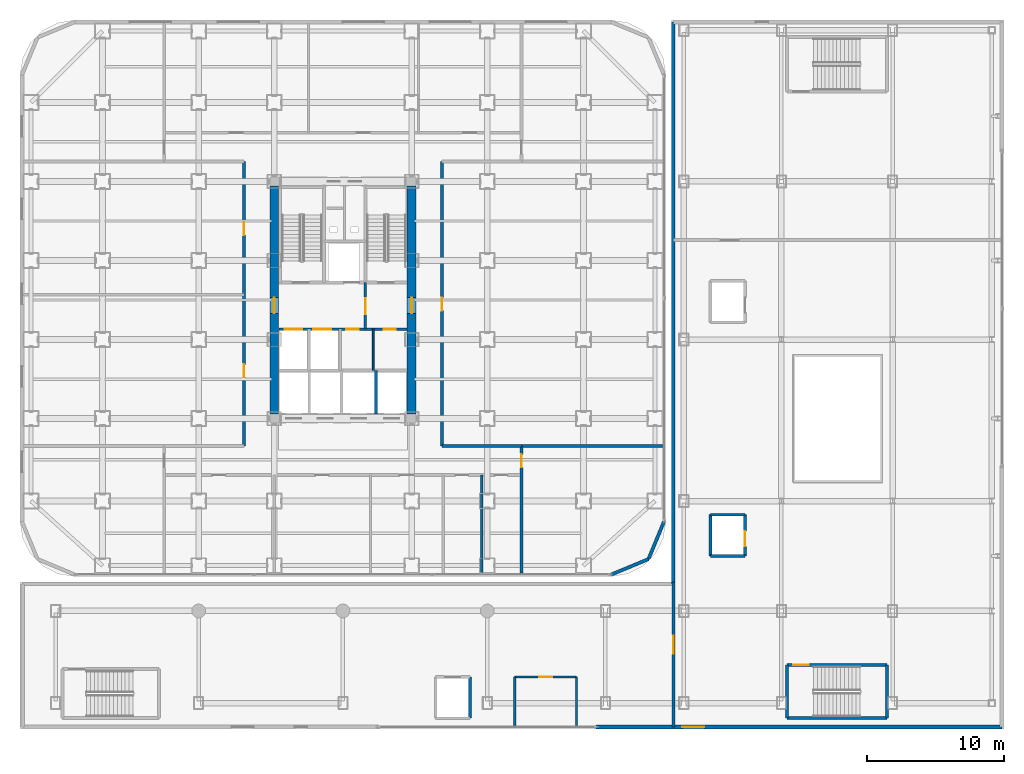
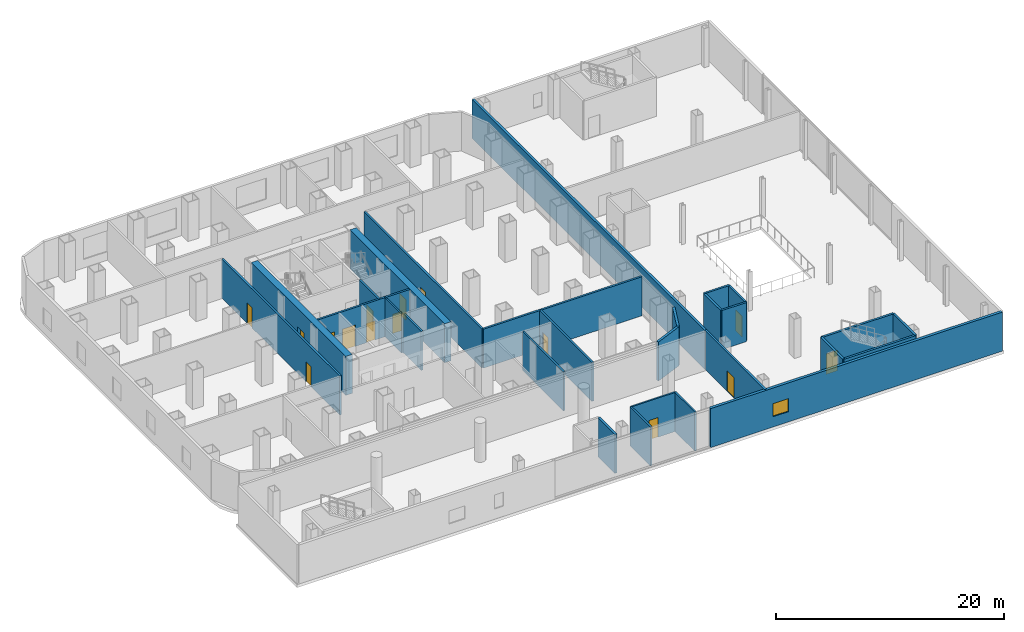
# One storey, part 20 of 27: 29 walls, 15 doors, 1 window, 16 openings.
"""IFC4 building model written with IfcOpenShell, lengths in metres."""

from ifc_helpers import new_model, si_unit, direction, frame, frame_2d, origin, place, context, subcontext, project, spatial, rectangle, extrude, material, layer, layer_set, type_object, element, fill, save


model = new_model("IFC4")

# Units and contexts
model_context = context("Model", 3, precision=1e-05, world=origin(), true_north=direction((0.0, 1.0)))
body_context = subcontext(model_context, "Body", "Model", "MODEL_VIEW")
ifc_project = project(units=[si_unit("LENGTHUNIT", "METRE"), si_unit("AREAUNIT", "SQUARE_METRE"), si_unit("VOLUMEUNIT", "CUBIC_METRE"), si_unit("PLANEANGLEUNIT", "RADIAN"), si_unit("MASSUNIT", "GRAM", prefix="KILO")], contexts=[model_context])

# Site, building, storey
site_placement = place(None, origin())
site = spatial("IfcSite", under=ifc_project, at=site_placement, CompositionType="ELEMENT")
building_placement = place(site_placement, origin())
building = spatial("IfcBuilding", under=site, at=building_placement, Name="Kolveth Station Tower", CompositionType="ELEMENT")
storey_placement = place(building_placement, frame((0.0, 0.0, 13.5)))
storey = spatial("IfcBuildingStorey", under=building, at=storey_placement, Name="L03", CompositionType="ELEMENT", Elevation=13.5)

# Wall, opening, door
ifc_material_1 = material(Name="Concrete C60/75", Category="concrete")
ifc_layer_1 = layer(ifc_material_1, 0.64990234375)
ifc_layer_set_1 = layer_set([ifc_layer_1], Name="Concrete C60/75")
wall_type_1 = type_object("IfcWallType", Name="Wall_CW-650", PredefinedType="SHEAR", material=ifc_layer_set_1)
wall_1_placement = place(storey_placement, frame((18.5, 11.824951171875, 0.0), z_axis=(0.0, 0.0, 1.0), x_axis=(0.0, 1.0, 0.0)))
wall_1 = element("IfcWall", 1, at=wall_1_placement, inside=storey, type_object=wall_type_1, Name="L03 Core RC Shear Wall W", PredefinedType="SHEAR", context=body_context, shape_type="SweptSolid", body=[
    extrude(rectangle(XDim=16.60009765625, YDim=0.64990234375, at=frame_2d((8.300048828125, 0.0))), origin(), (0.0, 0.0, 1.0), 4.179931640625),
])
opening_1_placement = place(wall_1_placement, frame((7.324951171875, 0.0, 0.0)))
opening_1 = element("IfcOpeningElement", 2, at=opening_1_placement, cuts=wall_1, Name="Opening FD1", PredefinedType="OPENING", context=body_context, shape_type="SweptSolid", body=[
    extrude(rectangle(XDim=1.14990234375, YDim=2.199951171875, at=frame_2d((0.574951171875, 1.10009765625))), frame((0.0, 0.3349609375, 0.0), z_axis=(0.0, -1.0, 0.0), x_axis=(1.0, 0.0, 0.0)), (0.0, 0.0, 1.0), 0.669921875),
])
ifc_material_2 = material(Name="Fire-rated Steel S355 leaf and frame", Category="steel")
door_type_1 = type_object("IfcDoorType", Name="Door_FD1", OperationType="NOTDEFINED", PredefinedType="DOOR", material=ifc_material_2)
door_1_placement = place(opening_1_placement, frame((1.14990234375, 0.0, 0.0), z_axis=(0.0, 0.0, 1.0), x_axis=(-1.0, 0.0, 0.0)))
door_1 = element("IfcDoor", 3, at=door_1_placement, inside=storey, type_object=door_type_1, Name="L03 West Corridor to Firefighting Lobby Door", OperationType="SINGLE_SWING_RIGHT", OverallHeight=2.199951171875, OverallWidth=1.14990234375, PredefinedType="DOOR", context=body_context, shape_type="SweptSolid", body=[
    extrude(rectangle(XDim=1.14990234375, YDim=2.199951171875, at=frame_2d((0.574951171875, 1.10009765625))), frame((0.0, 0.02490234375, 0.0), z_axis=(0.0, -1.0, 0.0), x_axis=(1.0, 0.0, 0.0)), (0.0, 0.0, 1.0), 0.050048828125),
])
fill(opening_1, door_1)

wall_2_placement = place(storey_placement, frame((28.5, 11.824951171875, 0.0), z_axis=(0.0, 0.0, 1.0), x_axis=(0.0, 1.0, 0.0)))
wall_2 = element("IfcWall", 4, at=wall_2_placement, inside=storey, type_object=wall_type_1, Name="L03 Core RC Shear Wall E", PredefinedType="SHEAR", context=body_context, shape_type="SweptSolid", body=[
    extrude(rectangle(XDim=16.60009765625, YDim=0.64990234375, at=frame_2d((8.300048828125, 0.0))), origin(), (0.0, 0.0, 1.0), 4.179931640625),
])
opening_2_placement = place(wall_2_placement, frame((7.324951171875, 0.0, 0.0)))
opening_2 = element("IfcOpeningElement", 5, at=opening_2_placement, cuts=wall_2, Name="Opening FD1", PredefinedType="OPENING", context=body_context, shape_type="SweptSolid", body=[
    extrude(rectangle(XDim=1.14990234375, YDim=2.199951171875, at=frame_2d((0.574951171875, 1.10009765625))), frame((0.0, 0.3349609375, 0.0), z_axis=(0.0, -1.0, 0.0), x_axis=(1.0, 0.0, 0.0)), (0.0, 0.0, 1.0), 0.669921875),
])
door_2_placement = place(opening_2_placement, origin())
door_2 = element("IfcDoor", 6, at=door_2_placement, inside=storey, type_object=door_type_1, Name="L03 East Corridor to Stair Lobby Door", OperationType="SINGLE_SWING_LEFT", OverallHeight=2.199951171875, OverallWidth=1.14990234375, PredefinedType="DOOR", context=body_context, shape_type="SweptSolid", body=[
    extrude(rectangle(XDim=1.14990234375, YDim=2.199951171875, at=frame_2d((0.574951171875, 1.10009765625))), frame((0.0, 0.02490234375, 0.0), z_axis=(0.0, -1.0, 0.0), x_axis=(1.0, 0.0, 0.0)), (0.0, 0.0, 1.0), 0.050048828125),
])
fill(opening_2, door_2)

# Walls
ifc_material_3 = material(Name="Precast concrete C40/50", Category="concrete")
ifc_layer_2 = layer(ifc_material_3, 0.239990234375)
ifc_layer_set_2 = layer_set([ifc_layer_2], Name="Precast concrete C40/50")
wall_type_2 = type_object("IfcWallType", Name="Wall_EW-240", PredefinedType="SOLIDWALL", material=ifc_layer_set_2)
for number, where, z_axis, x_axis, name in (
    (7, (43.0, 0.139892578125, 0.0), (0.0, 0.0, 1.0), (0.923876833688, 0.382689947836, 0.0), "L03 Podium Rounded Corner Wall 1"),
    (8, (45.7294921875, 1.2705078125, 0.0), (0.0, 0.0, 1.0), (0.382689947836, 0.923876833688, 0.0), "L03 Podium Rounded Corner Wall 2"),
):
    element("IfcWall", number, at=place(storey_placement, frame(where, z_axis=z_axis, x_axis=x_axis)), inside=storey, type_object=wall_type_2, Name=name, PredefinedType="SOLIDWALL", context=body_context, shape_type="SweptSolid", body=[
        extrude(rectangle(XDim=2.954345703125, YDim=0.239990234375, at=frame_2d((1.47705078125, 0.0))), origin(), (0.0, 0.0, 1.0), 4.179931640625),
    ])
wall_3_placement = place(storey_placement, frame((47.5400390625, -0.5400390625, 0.0), z_axis=(0.0, 0.0, 1.0), x_axis=(0.0, 1.0, 0.0)))
element("IfcWall", 9, at=wall_3_placement, inside=storey, type_object=wall_type_2, Name="L03 Station Exterior Wall JW", PredefinedType="SOLIDWALL", context=body_context, shape_type="SweptSolid", body=[
    extrude(rectangle(XDim=40.89013671875, YDim=0.239990234375, at=frame_2d((20.445068359375, 0.0))), origin(), (0.0, 0.0, 1.0), 4.179931640625),
])

# Wall, opening, window
ifc_layer_3 = layer(ifc_material_3, 0.280029296875)
ifc_layer_set_3 = layer_set([ifc_layer_3], Name="Precast concrete C40/50")
wall_type_3 = type_object("IfcWallType", Name="Wall_EW-280", PredefinedType="SOLIDWALL", material=ifc_layer_set_3)
wall_4_placement = place(storey_placement, frame((41.89990234375, -10.949951171875, 0.0), z_axis=(0.0, 0.0, 1.0), x_axis=(1.0, 0.0, 0.0)))
wall_4 = element("IfcWall", 10, at=wall_4_placement, inside=storey, type_object=wall_type_3, Name="L03 Station Exterior Wall S2", PredefinedType="SOLIDWALL", context=body_context, shape_type="SweptSolid", body=[
    extrude(rectangle(XDim=29.550048828125, YDim=0.280029296875, at=frame_2d((14.77490234375, 0.0))), origin(), (0.0, 0.0, 1.0), 4.179931640625),
])
opening_3_placement = place(wall_4_placement, frame((6.300048828125, 0.0, 1.10009765625)))
opening_3 = element("IfcOpeningElement", 11, at=opening_3_placement, cuts=wall_4, Name="Opening W7", PredefinedType="OPENING", context=body_context, shape_type="SweptSolid", body=[
    extrude(rectangle(XDim=1.60009765625, YDim=1.39990234375, at=frame_2d((0.800048828125, 0.699951171875))), frame((0.0, 0.14990234375, 0.0), z_axis=(0.0, -1.0, 0.0), x_axis=(1.0, 0.0, 0.0)), (0.0, 0.0, 1.0), 0.300048828125),
])
ifc_material_4 = material(Name="Black anodized aluminium 6063-T6 and triple low-E glass", Category="aluminium")
window_type = type_object("IfcWindowType", Name="Win_W7", PartitioningType="SINGLE_PANEL", PredefinedType="WINDOW", material=ifc_material_4)
window_placement = place(opening_3_placement, origin())
window = element("IfcWindow", 12, at=window_placement, inside=storey, type_object=window_type, Name="L03 Station Hall Window 3", OverallHeight=1.39990234375, OverallWidth=1.60009765625, PartitioningType="SINGLE_PANEL", PredefinedType="WINDOW", context=body_context, shape_type="SweptSolid", body=[
    extrude(rectangle(XDim=1.60009765625, YDim=1.39990234375, at=frame_2d((0.800048828125, 0.699951171875))), frame((0.0, 0.030029296875, 0.0), z_axis=(0.0, -1.0, 0.0), x_axis=(1.0, 0.0, 0.0)), (0.0, 0.0, 1.0), 0.06005859375),
])
fill(opening_3, window)

# Walls
ifc_material_5 = material(Name="Moisture-resistant gypsum partition")
ifc_layer_4 = layer(ifc_material_5, 0.135009765625)
ifc_layer_set_4 = layer_set([ifc_layer_4], Name="Moisture-resistant gypsum partition")
wall_type_4 = type_object("IfcWallType", Name="Wall_IW-135", PredefinedType="PARTITIONING", material=ifc_layer_set_4)
wall_5_placement = place(storey_placement, frame((25.699951171875, 15.0, 0.0), z_axis=(0.0, 0.0, 1.0), x_axis=(0.0, 1.0, 0.0)))
element("IfcWall", 13, at=wall_5_placement, inside=storey, type_object=wall_type_4, Name="L03 Partition Wall WL-L03-CB-V1", PredefinedType="PARTITIONING", context=body_context, shape_type="SweptSolid", body=[
    extrude(rectangle(XDim=3.0, YDim=0.135009765625, at=frame_2d((1.5, 0.0))), origin(), (0.0, 0.0, 1.0), 4.179931640625),
])
ifc_material_6 = material(Name="Acoustic double-stud gypsum partition")
ifc_layer_5 = layer(ifc_material_6, 0.1650390625)
ifc_layer_set_5 = layer_set([ifc_layer_5], Name="Acoustic double-stud gypsum partition")
wall_type_5 = type_object("IfcWallType", Name="Wall_IW-165", PredefinedType="PARTITIONING", material=ifc_layer_set_5)
wall_6_placement = place(storey_placement, frame((33.60009765625, 0.25, 0.0), z_axis=(0.0, 0.0, 1.0), x_axis=(0.0, 1.0, 0.0)))
element("IfcWall", 14, at=wall_6_placement, inside=storey, type_object=wall_type_5, Name="L03 Partition Wall WL-L03-TPS-P4", PredefinedType="PARTITIONING", context=body_context, shape_type="SweptSolid", body=[
    extrude(rectangle(XDim=7.14990234375, YDim=0.1650390625, at=frame_2d((3.574951171875, 0.0))), origin(), (0.0, 0.0, 1.0), 4.179931640625),
])

# Wall, opening, door
wall_7_placement = place(storey_placement, frame((36.0, -7.300048828125, 0.0), z_axis=(0.0, 0.0, 1.0), x_axis=(1.0, 0.0, 0.0)))
wall_7 = element("IfcWall", 15, at=wall_7_placement, inside=storey, type_object=wall_type_5, Name="L03 Partition Wall WL-L03-SWC-N", PredefinedType="PARTITIONING", context=body_context, shape_type="SweptSolid", body=[
    extrude(rectangle(XDim=4.5, YDim=0.1650390625, at=frame_2d((2.25, 0.0))), origin(), (0.0, 0.0, 1.0), 4.179931640625),
])
opening_4_placement = place(wall_7_placement, frame((1.800048828125, 0.0, 0.0)))
opening_4 = element("IfcOpeningElement", 16, at=opening_4_placement, cuts=wall_7, Name="Opening ID2", PredefinedType="OPENING", context=body_context, shape_type="SweptSolid", body=[
    extrude(rectangle(XDim=0.919921875, YDim=2.10009765625, at=frame_2d((0.4599609375, 1.050048828125))), frame((0.0, 0.092529296875, 0.0), z_axis=(0.0, -1.0, 0.0), x_axis=(1.0, 0.0, 0.0)), (0.0, 0.0, 1.0), 0.18505859375),
])
ifc_material_7 = material(Name="Moisture-resistant hardwood leaf", Category="wood")
door_type_2 = type_object("IfcDoorType", Name="Door_ID2", OperationType="NOTDEFINED", PredefinedType="DOOR", material=ifc_material_7)
door_3_placement = place(opening_4_placement, origin())
door_3 = element("IfcDoor", 17, at=door_3_placement, inside=storey, type_object=door_type_2, Name="L03 Station Accessible WC Door", OperationType="SINGLE_SWING_LEFT", OverallHeight=2.10009765625, OverallWidth=0.919921875, PredefinedType="DOOR", context=body_context, shape_type="SweptSolid", body=[
    extrude(rectangle(XDim=0.919921875, YDim=2.10009765625, at=frame_2d((0.4599609375, 1.050048828125))), frame((0.0, 0.02490234375, 0.0), z_axis=(0.0, -1.0, 0.0), x_axis=(1.0, 0.0, 0.0)), (0.0, 0.0, 1.0), 0.050048828125),
])
fill(opening_4, door_3)

# Walls
for number, where, z_axis, x_axis, name in (
    (18, (36.0, -10.85009765625, 0.0), (0.0, 0.0, 1.0), (0.0, 1.0, 0.0), "L03 Partition Wall WL-L03-SWC-W"),
    (19, (40.5, -10.85009765625, 0.0), (0.0, 0.0, 1.0), (0.0, 1.0, 0.0), "L03 Partition Wall WL-L03-SWC-E"),
):
    element("IfcWall", number, at=place(storey_placement, frame(where, z_axis=z_axis, x_axis=x_axis)), inside=storey, type_object=wall_type_5, Name=name, PredefinedType="PARTITIONING", context=body_context, shape_type="SweptSolid", body=[
        extrude(rectangle(XDim=3.550048828125, YDim=0.1650390625, at=frame_2d((1.77490234375, 0.0))), origin(), (0.0, 0.0, 1.0), 4.179931640625),
    ])

# Wall, opening, door
ifc_material_8 = material(Name="Acoustic fire-rated gypsum blockwork", Category="masonry")
ifc_layer_6 = layer(ifc_material_8, 0.199951171875)
ifc_layer_set_6 = layer_set([ifc_layer_6], Name="Acoustic fire-rated gypsum blockwork")
wall_type_6 = type_object("IfcWallType", Name="Wall_IW-200", PredefinedType="PARTITIONING", material=ifc_layer_set_6)
wall_8_placement = place(storey_placement, frame((25.1298828125, 18.0, 0.0), z_axis=(0.0, 0.0, 1.0), x_axis=(0.0, 1.0, 0.0)))
wall_8 = element("IfcWall", 20, at=wall_8_placement, inside=storey, type_object=wall_type_6, Name="L03 Partition Wall WL-L03-FFL-E", PredefinedType="PARTITIONING", context=body_context, shape_type="SweptSolid", body=[
    extrude(rectangle(XDim=3.389892578125, YDim=0.199951171875, at=frame_2d((1.69482421875, 0.0))), origin(), (0.0, 0.0, 1.0), 4.179931640625),
])
opening_5_placement = place(wall_8_placement, frame((1.10009765625, 0.0, 0.0)))
opening_5 = element("IfcOpeningElement", 21, at=opening_5_placement, cuts=wall_8, Name="Opening FD1", PredefinedType="OPENING", context=body_context, shape_type="SweptSolid", body=[
    extrude(rectangle(XDim=1.14990234375, YDim=2.199951171875, at=frame_2d((0.574951171875, 1.10009765625))), frame((0.0, 0.10986328125, 0.0), z_axis=(0.0, -1.0, 0.0), x_axis=(1.0, 0.0, 0.0)), (0.0, 0.0, 1.0), 0.219970703125),
])
door_4_placement = place(opening_5_placement, origin())
door_4 = element("IfcDoor", 22, at=door_4_placement, inside=storey, type_object=door_type_1, Name="L03 Firefighting to Stair Lobby Door", OperationType="SINGLE_SWING_LEFT", OverallHeight=2.199951171875, OverallWidth=1.14990234375, PredefinedType="DOOR", context=body_context, shape_type="SweptSolid", body=[
    extrude(rectangle(XDim=1.14990234375, YDim=2.199951171875, at=frame_2d((0.574951171875, 1.10009765625))), frame((0.0, 0.02490234375, 0.0), z_axis=(0.0, -1.0, 0.0), x_axis=(1.0, 0.0, 0.0)), (0.0, 0.0, 1.0), 0.050048828125),
])
fill(opening_5, door_4)

# Wall, openings, doors
wall_9_placement = place(storey_placement, frame((18.8349609375, 18.0, 0.0), z_axis=(0.0, 0.0, 1.0), x_axis=(1.0, 0.0, 0.0)))
wall_9 = element("IfcWall", 23, at=wall_9_placement, inside=storey, type_object=wall_type_6, Name="L03 Partition Wall WL-L03-FFL-S", PredefinedType="PARTITIONING", context=body_context, shape_type="SweptSolid", body=[
    extrude(rectangle(XDim=9.330078125, YDim=0.199951171875, at=frame_2d((4.6650390625, 0.0))), origin(), (0.0, 0.0, 1.0), 4.179931640625),
])
opening_6_placement = place(wall_9_placement, frame((0.4150390625, 0.0, 0.0)))
opening_6 = element("IfcOpeningElement", 24, at=opening_6_placement, cuts=wall_9, Name="Opening LD2", PredefinedType="OPENING", context=body_context, shape_type="SweptSolid", body=[
    extrude(rectangle(XDim=1.300048828125, YDim=2.300048828125, at=frame_2d((0.64990234375, 1.14990234375))), frame((0.0, 0.10986328125, 0.0), z_axis=(0.0, -1.0, 0.0), x_axis=(1.0, 0.0, 0.0)), (0.0, 0.0, 1.0), 0.219970703125),
])
opening_7_placement = place(wall_9_placement, frame((2.514892578125, 0.0, 0.0)))
opening_7 = element("IfcOpeningElement", 25, at=opening_7_placement, cuts=wall_9, Name="Opening LD2", PredefinedType="OPENING", context=body_context, shape_type="SweptSolid", body=[
    extrude(rectangle(XDim=1.300048828125, YDim=2.300048828125, at=frame_2d((0.64990234375, 1.14990234375))), frame((0.0, 0.10986328125, 0.0), z_axis=(0.0, -1.0, 0.0), x_axis=(1.0, 0.0, 0.0)), (0.0, 0.0, 1.0), 0.219970703125),
])
opening_8_placement = place(wall_9_placement, frame((4.9150390625, 0.0, 0.0)))
opening_8 = element("IfcOpeningElement", 26, at=opening_8_placement, cuts=wall_9, Name="Opening RD1", PredefinedType="OPENING", context=body_context, shape_type="SweptSolid", body=[
    extrude(rectangle(XDim=0.89990234375, YDim=2.050048828125, at=frame_2d((0.449951171875, 1.02490234375))), frame((0.0, 0.10986328125, 0.0), z_axis=(0.0, -1.0, 0.0), x_axis=(1.0, 0.0, 0.0)), (0.0, 0.0, 1.0), 0.219970703125),
])
opening_9_placement = place(wall_9_placement, frame((7.614990234375, 0.0, 0.0)))
opening_9 = element("IfcOpeningElement", 27, at=opening_9_placement, cuts=wall_9, Name="Opening RD1", PredefinedType="OPENING", context=body_context, shape_type="SweptSolid", body=[
    extrude(rectangle(XDim=0.89990234375, YDim=2.050048828125, at=frame_2d((0.449951171875, 1.02490234375))), frame((0.0, 0.10986328125, 0.0), z_axis=(0.0, -1.0, 0.0), x_axis=(1.0, 0.0, 0.0)), (0.0, 0.0, 1.0), 0.219970703125),
])
ifc_material_9 = material(Name="Firefighting stainless steel sliding landing doors", Category="steel")
door_type_3 = type_object("IfcDoorType", Name="Door_LD2", OperationType="NOTDEFINED", PredefinedType="DOOR", material=ifc_material_9)
door_5_placement = place(opening_6_placement, origin())
door_5 = element("IfcDoor", 28, at=door_5_placement, inside=storey, type_object=door_type_3, Name="L03 Firefighting Lift FF1 Landing Door", OperationType="DOUBLE_DOOR_SLIDING", OverallHeight=2.300048828125, OverallWidth=1.300048828125, PredefinedType="DOOR", context=body_context, shape_type="SweptSolid", body=[
    extrude(rectangle(XDim=1.300048828125, YDim=2.300048828125, at=frame_2d((0.64990234375, 1.14990234375))), frame((0.0, 0.02490234375, 0.0), z_axis=(0.0, -1.0, 0.0), x_axis=(1.0, 0.0, 0.0)), (0.0, 0.0, 1.0), 0.050048828125),
])
fill(opening_6, door_5)
door_6_placement = place(opening_7_placement, origin())
door_6 = element("IfcDoor", 29, at=door_6_placement, inside=storey, type_object=door_type_3, Name="L03 Firefighting Lift FF2 Landing Door", OperationType="DOUBLE_DOOR_SLIDING", OverallHeight=2.300048828125, OverallWidth=1.300048828125, PredefinedType="DOOR", context=body_context, shape_type="SweptSolid", body=[
    extrude(rectangle(XDim=1.300048828125, YDim=2.300048828125, at=frame_2d((0.64990234375, 1.14990234375))), frame((0.0, 0.02490234375, 0.0), z_axis=(0.0, -1.0, 0.0), x_axis=(1.0, 0.0, 0.0)), (0.0, 0.0, 1.0), 0.050048828125),
])
fill(opening_7, door_6)
ifc_material_10 = material(Name="Fire-rated Steel S355 riser access leaf", Category="steel")
door_type_4 = type_object("IfcDoorType", Name="Door_RD1", OperationType="NOTDEFINED", PredefinedType="DOOR", material=ifc_material_10)
door_7_placement = place(opening_8_placement, frame((0.89990234375, 0.0, 0.0), z_axis=(0.0, 0.0, 1.0), x_axis=(-1.0, 0.0, 0.0)))
door_7 = element("IfcDoor", 30, at=door_7_placement, inside=storey, type_object=door_type_4, Name="L03 Core Accessible WC Door", OperationType="SINGLE_SWING_RIGHT", OverallHeight=2.050048828125, OverallWidth=0.89990234375, PredefinedType="DOOR", context=body_context, shape_type="SweptSolid", body=[
    extrude(rectangle(XDim=0.89990234375, YDim=2.050048828125, at=frame_2d((0.449951171875, 1.02490234375))), frame((0.0, 0.02490234375, 0.0), z_axis=(0.0, -1.0, 0.0), x_axis=(1.0, 0.0, 0.0)), (0.0, 0.0, 1.0), 0.050048828125),
])
fill(opening_8, door_7)
door_8_placement = place(opening_9_placement, frame((0.89990234375, 0.0, 0.0), z_axis=(0.0, 0.0, 1.0), x_axis=(-1.0, 0.0, 0.0)))
door_8 = element("IfcDoor", 31, at=door_8_placement, inside=storey, type_object=door_type_4, Name="L03 Core Cleaner Store Door", OperationType="SINGLE_SWING_LEFT", OverallHeight=2.050048828125, OverallWidth=0.89990234375, PredefinedType="DOOR", context=body_context, shape_type="SweptSolid", body=[
    extrude(rectangle(XDim=0.89990234375, YDim=2.050048828125, at=frame_2d((0.449951171875, 1.02490234375))), frame((0.0, 0.02490234375, 0.0), z_axis=(0.0, -1.0, 0.0), x_axis=(1.0, 0.0, 0.0)), (0.0, 0.0, 1.0), 0.050048828125),
])
fill(opening_9, door_8)

# Walls
wall_10_placement = place(storey_placement, frame((25.89990234375, 11.8349609375, 0.0), z_axis=(0.0, 0.0, 1.0), x_axis=(0.0, 1.0, 0.0)))
element("IfcWall", 32, at=wall_10_placement, inside=storey, type_object=wall_type_6, Name="L03 Partition Wall WL-L03-PMPH", PredefinedType="PARTITIONING", context=body_context, shape_type="SweptSolid", body=[
    extrude(rectangle(XDim=3.1650390625, YDim=0.199951171875, at=frame_2d((1.58251953125, 0.0))), origin(), (0.0, 0.0, 1.0), 4.179931640625),
])
wall_11_placement = place(storey_placement, frame((30.699951171875, 9.5, 0.0), z_axis=(0.0, 0.0, 1.0), x_axis=(1.0, 0.0, 0.0)))
element("IfcWall", 33, at=wall_11_placement, inside=storey, type_object=wall_type_6, Name="L03 Partition Wall WL-L03-BSET", PredefinedType="PARTITIONING", context=body_context, shape_type="SweptSolid", body=[
    extrude(rectangle(XDim=5.800048828125, YDim=0.199951171875, at=frame_2d((2.89990234375, 0.0))), origin(), (0.0, 0.0, 1.0), 4.179931640625),
])

# Wall, openings, doors
wall_12_placement = place(storey_placement, frame((16.300048828125, 9.5, 0.0), z_axis=(0.0, 0.0, 1.0), x_axis=(0.0, 1.0, 0.0)))
wall_12 = element("IfcWall", 34, at=wall_12_placement, inside=storey, type_object=wall_type_6, Name="L03 Partition Wall WL-L03-BW", PredefinedType="PARTITIONING", context=body_context, shape_type="SweptSolid", body=[
    extrude(rectangle(XDim=20.699951171875, YDim=0.199951171875, at=frame_2d((10.35009765625, 0.0))), origin(), (0.0, 0.0, 1.0), 4.179931640625),
])
opening_10_placement = place(wall_12_placement, frame((5.0, 0.0, 0.0)))
opening_10 = element("IfcOpeningElement", 35, at=opening_10_placement, cuts=wall_12, Name="Opening ID1", PredefinedType="OPENING", context=body_context, shape_type="SweptSolid", body=[
    extrude(rectangle(XDim=0.949951171875, YDim=2.14990234375, at=frame_2d((0.47509765625, 1.074951171875))), frame((0.0, 0.10986328125, 0.0), z_axis=(0.0, -1.0, 0.0), x_axis=(1.0, 0.0, 0.0)), (0.0, 0.0, 1.0), 0.219970703125),
])
opening_11_placement = place(wall_12_placement, frame((15.35009765625, 0.0, 0.0)))
opening_11 = element("IfcOpeningElement", 36, at=opening_11_placement, cuts=wall_12, Name="Opening ID1", PredefinedType="OPENING", context=body_context, shape_type="SweptSolid", body=[
    extrude(rectangle(XDim=0.949951171875, YDim=2.14990234375, at=frame_2d((0.47509765625, 1.074951171875))), frame((0.0, 0.10986328125, 0.0), z_axis=(0.0, -1.0, 0.0), x_axis=(1.0, 0.0, 0.0)), (0.0, 0.0, 1.0), 0.219970703125),
])
ifc_material_11 = material(Name="Acoustic hardwood leaf and aluminium frame", Category="wood")
door_type_5 = type_object("IfcDoorType", Name="Door_ID1", OperationType="NOTDEFINED", PredefinedType="DOOR", material=ifc_material_11)
door_9_placement = place(opening_10_placement, frame((0.949951171875, 0.0, 0.0), z_axis=(0.0, 0.0, 1.0), x_axis=(-1.0, 0.0, 0.0)))
door_9 = element("IfcDoor", 37, at=door_9_placement, inside=storey, type_object=door_type_5, Name="L03 Podium Clinic Office West 1 Door", OperationType="SINGLE_SWING_RIGHT", OverallHeight=2.14990234375, OverallWidth=0.949951171875, PredefinedType="DOOR", context=body_context, shape_type="SweptSolid", body=[
    extrude(rectangle(XDim=0.949951171875, YDim=2.14990234375, at=frame_2d((0.47509765625, 1.074951171875))), frame((0.0, 0.02490234375, 0.0), z_axis=(0.0, -1.0, 0.0), x_axis=(1.0, 0.0, 0.0)), (0.0, 0.0, 1.0), 0.050048828125),
])
fill(opening_10, door_9)
door_10_placement = place(opening_11_placement, frame((0.949951171875, 0.0, 0.0), z_axis=(0.0, 0.0, 1.0), x_axis=(-1.0, 0.0, 0.0)))
door_10 = element("IfcDoor", 38, at=door_10_placement, inside=storey, type_object=door_type_5, Name="L03 Meeting Room West Door", OperationType="SINGLE_SWING_LEFT", OverallHeight=2.14990234375, OverallWidth=0.949951171875, PredefinedType="DOOR", context=body_context, shape_type="SweptSolid", body=[
    extrude(rectangle(XDim=0.949951171875, YDim=2.14990234375, at=frame_2d((0.47509765625, 1.074951171875))), frame((0.0, 0.02490234375, 0.0), z_axis=(0.0, -1.0, 0.0), x_axis=(1.0, 0.0, 0.0)), (0.0, 0.0, 1.0), 0.050048828125),
])
fill(opening_11, door_10)

# Wall, opening, door
wall_13_placement = place(storey_placement, frame((30.699951171875, 9.5, 0.0), z_axis=(0.0, 0.0, 1.0), x_axis=(0.0, 1.0, 0.0)))
wall_13 = element("IfcWall", 39, at=wall_13_placement, inside=storey, type_object=wall_type_6, Name="L03 Partition Wall WL-L03-BE", PredefinedType="PARTITIONING", context=body_context, shape_type="SweptSolid", body=[
    extrude(rectangle(XDim=20.699951171875, YDim=0.199951171875, at=frame_2d((10.35009765625, 0.0))), origin(), (0.0, 0.0, 1.0), 4.179931640625),
])
opening_12_placement = place(wall_13_placement, frame((9.85009765625, 0.0, 0.0)))
opening_12 = element("IfcOpeningElement", 40, at=opening_12_placement, cuts=wall_13, Name="Opening ID1", PredefinedType="OPENING", context=body_context, shape_type="SweptSolid", body=[
    extrude(rectangle(XDim=0.949951171875, YDim=2.14990234375, at=frame_2d((0.47509765625, 1.074951171875))), frame((0.0, 0.10986328125, 0.0), z_axis=(0.0, -1.0, 0.0), x_axis=(1.0, 0.0, 0.0)), (0.0, 0.0, 1.0), 0.219970703125),
])
door_11_placement = place(opening_12_placement, origin())
door_11 = element("IfcDoor", 41, at=door_11_placement, inside=storey, type_object=door_type_5, Name="L03 Podium Clinic Office East Door", OperationType="SINGLE_SWING_RIGHT", OverallHeight=2.14990234375, OverallWidth=0.949951171875, PredefinedType="DOOR", context=body_context, shape_type="SweptSolid", body=[
    extrude(rectangle(XDim=0.949951171875, YDim=2.14990234375, at=frame_2d((0.47509765625, 1.074951171875))), frame((0.0, 0.02490234375, 0.0), z_axis=(0.0, -1.0, 0.0), x_axis=(1.0, 0.0, 0.0)), (0.0, 0.0, 1.0), 0.050048828125),
])
fill(opening_12, door_11)

wall_14_placement = place(storey_placement, frame((36.5, 0.25, 0.0), z_axis=(0.0, 0.0, 1.0), x_axis=(0.0, 1.0, 0.0)))
wall_14 = element("IfcWall", 42, at=wall_14_placement, inside=storey, type_object=wall_type_6, Name="L03 Partition Wall WL-L03-BES", PredefinedType="PARTITIONING", context=body_context, shape_type="SweptSolid", body=[
    extrude(rectangle(XDim=9.25, YDim=0.199951171875, at=frame_2d((4.625, 0.0))), origin(), (0.0, 0.0, 1.0), 4.179931640625),
])
opening_13_placement = place(wall_14_placement, frame((7.699951171875, 0.0, 0.0)))
opening_13 = element("IfcOpeningElement", 43, at=opening_13_placement, cuts=wall_14, Name="Opening ID1", PredefinedType="OPENING", context=body_context, shape_type="SweptSolid", body=[
    extrude(rectangle(XDim=0.949951171875, YDim=2.14990234375, at=frame_2d((0.47509765625, 1.074951171875))), frame((0.0, 0.10986328125, 0.0), z_axis=(0.0, -1.0, 0.0), x_axis=(1.0, 0.0, 0.0)), (0.0, 0.0, 1.0), 0.219970703125),
])
door_12_placement = place(opening_13_placement, origin())
door_12 = element("IfcDoor", 44, at=door_12_placement, inside=storey, type_object=door_type_5, Name="L03 Podium Clinic Office CSE Door", OperationType="SINGLE_SWING_RIGHT", OverallHeight=2.14990234375, OverallWidth=0.949951171875, PredefinedType="DOOR", context=body_context, shape_type="SweptSolid", body=[
    extrude(rectangle(XDim=0.949951171875, YDim=2.14990234375, at=frame_2d((0.47509765625, 1.074951171875))), frame((0.0, 0.02490234375, 0.0), z_axis=(0.0, -1.0, 0.0), x_axis=(1.0, 0.0, 0.0)), (0.0, 0.0, 1.0), 0.050048828125),
])
fill(opening_13, door_12)

# Walls
wall_15_placement = place(storey_placement, frame((36.5, 9.5, 0.0), z_axis=(0.0, 0.0, 1.0), x_axis=(1.0, 0.0, 0.0)))
element("IfcWall", 45, at=wall_15_placement, inside=storey, type_object=wall_type_6, Name="L03 Partition Wall WL-L03-BEM1", PredefinedType="PARTITIONING", context=body_context, shape_type="SweptSolid", body=[
    extrude(rectangle(XDim=10.25, YDim=0.199951171875, at=frame_2d((5.125, 0.0))), origin(), (0.0, 0.0, 1.0), 4.179931640625),
])
for number, where, z_axis, x_axis, name in (
    (46, (50.25, 1.5, 0.0), (0.0, 0.0, 1.0), (1.0, 0.0, 0.0), "L03 Partition Wall WL-L03-SL1-S"),
    (47, (50.25, 4.5, 0.0), (0.0, 0.0, 1.0), (1.0, 0.0, 0.0), "L03 Partition Wall WL-L03-SL1-N"),
):
    element("IfcWall", number, at=place(storey_placement, frame(where, z_axis=z_axis, x_axis=x_axis)), inside=storey, type_object=wall_type_6, Name=name, PredefinedType="PARTITIONING", context=body_context, shape_type="SweptSolid", body=[
        extrude(rectangle(XDim=2.5, YDim=0.199951171875, at=frame_2d((1.25, 0.0))), origin(), (0.0, 0.0, 1.0), 4.179931640625),
    ])
wall_16_placement = place(storey_placement, frame((50.25, 1.5, 0.0), z_axis=(0.0, 0.0, 1.0), x_axis=(0.0, 1.0, 0.0)))
element("IfcWall", 48, at=wall_16_placement, inside=storey, type_object=wall_type_6, Name="L03 Partition Wall WL-L03-SL1-W", PredefinedType="PARTITIONING", context=body_context, shape_type="SweptSolid", body=[
    extrude(rectangle(XDim=3.0, YDim=0.199951171875, at=frame_2d((1.5, 0.0))), origin(), (0.0, 0.0, 1.0), 4.179931640625),
])

# Wall, opening, door
wall_17_placement = place(storey_placement, frame((52.75, 1.5, 0.0), z_axis=(0.0, 0.0, 1.0), x_axis=(0.0, 1.0, 0.0)))
wall_17 = element("IfcWall", 49, at=wall_17_placement, inside=storey, type_object=wall_type_6, Name="L03 Partition Wall WL-L03-SL1-E", PredefinedType="PARTITIONING", context=body_context, shape_type="SweptSolid", body=[
    extrude(rectangle(XDim=3.0, YDim=0.199951171875, at=frame_2d((1.5, 0.0))), origin(), (0.0, 0.0, 1.0), 4.179931640625),
])
opening_14_placement = place(wall_17_placement, frame((0.699951171875, 0.0, 0.0)))
opening_14 = element("IfcOpeningElement", 50, at=opening_14_placement, cuts=wall_17, Name="Opening LD1", PredefinedType="OPENING", context=body_context, shape_type="SweptSolid", body=[
    extrude(rectangle(XDim=1.10009765625, YDim=2.25, at=frame_2d((0.550048828125, 1.125))), frame((0.0, 0.10986328125, 0.0), z_axis=(0.0, -1.0, 0.0), x_axis=(1.0, 0.0, 0.0)), (0.0, 0.0, 1.0), 0.219970703125),
])
ifc_material_12 = material(Name="Brushed stainless steel sliding landing doors", Category="steel")
door_type_6 = type_object("IfcDoorType", Name="Door_LD1", OperationType="NOTDEFINED", PredefinedType="DOOR", material=ifc_material_12)
door_13_placement = place(opening_14_placement, origin())
door_13 = element("IfcDoor", 51, at=door_13_placement, inside=storey, type_object=door_type_6, Name="L03 Station Lift SL1 Landing Door", OperationType="DOUBLE_DOOR_SLIDING", OverallHeight=2.25, OverallWidth=1.10009765625, PredefinedType="DOOR", context=body_context, shape_type="SweptSolid", body=[
    extrude(rectangle(XDim=1.10009765625, YDim=2.25, at=frame_2d((0.550048828125, 1.125))), frame((0.0, 0.02490234375, 0.0), z_axis=(0.0, -1.0, 0.0), x_axis=(1.0, 0.0, 0.0)), (0.0, 0.0, 1.0), 0.050048828125),
])
fill(opening_14, door_13)

# Wall
wall_18_placement = place(storey_placement, frame((32.75, -10.300048828125, 0.0), z_axis=(0.0, 0.0, 1.0), x_axis=(0.0, 1.0, 0.0)))
element("IfcWall", 52, at=wall_18_placement, inside=storey, type_object=wall_type_6, Name="L03 Partition Wall WL-L03-SL3-E", PredefinedType="PARTITIONING", context=body_context, shape_type="SweptSolid", body=[
    extrude(rectangle(XDim=3.0, YDim=0.199951171875, at=frame_2d((1.5, 0.0))), origin(), (0.0, 0.0, 1.0), 4.179931640625),
])

# Wall, opening, door
wall_19_placement = place(storey_placement, frame((47.550048828125, -10.949951171875, 0.0), z_axis=(0.0, 0.0, 1.0), x_axis=(0.0, 1.0, 0.0)))
wall_19 = element("IfcWall", 53, at=wall_19_placement, inside=storey, type_object=wall_type_6, Name="L03 Partition Wall WL-L03-STN-SE", PredefinedType="PARTITIONING", context=body_context, shape_type="SweptSolid", body=[
    extrude(rectangle(XDim=10.550048828125, YDim=0.199951171875, at=frame_2d((5.27490234375, 0.0))), origin(), (0.0, 0.0, 1.0), 4.179931640625),
])
opening_15_placement = place(wall_19_placement, frame((5.35009765625, 0.0, 0.0)))
opening_15 = element("IfcOpeningElement", 54, at=opening_15_placement, cuts=wall_19, Name="Opening ID3", PredefinedType="OPENING", context=body_context, shape_type="SweptSolid", body=[
    extrude(rectangle(XDim=1.300048828125, YDim=2.199951171875, at=frame_2d((0.64990234375, 1.10009765625))), frame((0.0, 0.10986328125, 0.0), z_axis=(0.0, -1.0, 0.0), x_axis=(1.0, 0.0, 0.0)), (0.0, 0.0, 1.0), 0.219970703125),
])
ifc_material_13 = material(Name="Glazed acoustic office double leaf")
door_type_7 = type_object("IfcDoorType", Name="Door_ID3", OperationType="NOTDEFINED", PredefinedType="DOOR", material=ifc_material_13)
door_14_placement = place(opening_15_placement, origin())
door_14 = element("IfcDoor", 55, at=door_14_placement, inside=storey, type_object=door_type_7, Name="L03 Station South-to-East Concourse Door", OperationType="DOUBLE_DOOR_SINGLE_SWING", OverallHeight=2.199951171875, OverallWidth=1.300048828125, PredefinedType="DOOR", context=body_context, shape_type="SweptSolid", body=[
    extrude(rectangle(XDim=1.300048828125, YDim=2.199951171875, at=frame_2d((0.64990234375, 1.10009765625))), frame((0.0, 0.02490234375, 0.0), z_axis=(0.0, -1.0, 0.0), x_axis=(1.0, 0.0, 0.0)), (0.0, 0.0, 1.0), 0.050048828125),
])
fill(opening_15, door_14)

# Wall
ifc_material_14 = material(Name="Concrete C40/50", Category="concrete")
ifc_layer_7 = layer(ifc_material_14, 0.219970703125)
ifc_layer_set_7 = layer_set([ifc_layer_7], Name="Concrete C40/50")
wall_type_7 = type_object("IfcWallType", Name="Wall_IW-220", PredefinedType="SOLIDWALL", material=ifc_layer_set_7)
wall_20_placement = place(storey_placement, frame((55.800048828125, -10.300048828125, 0.0), z_axis=(0.0, 0.0, 1.0), x_axis=(1.0, 0.0, 0.0)))
element("IfcWall", 56, at=wall_20_placement, inside=storey, type_object=wall_type_7, Name="L03 Stair Shaft Wall WL-L03-ST4-S", PredefinedType="SOLIDWALL", context=body_context, shape_type="SweptSolid", body=[
    extrude(rectangle(XDim=7.300048828125, YDim=0.219970703125, at=frame_2d((3.64990234375, 0.0))), origin(), (0.0, 0.0, 1.0), 4.179931640625),
])

# Wall, opening, door
wall_21_placement = place(storey_placement, frame((55.800048828125, -6.43994140625, 0.0), z_axis=(0.0, 0.0, 1.0), x_axis=(1.0, 0.0, 0.0)))
wall_21 = element("IfcWall", 57, at=wall_21_placement, inside=storey, type_object=wall_type_7, Name="L03 Stair Shaft Wall WL-L03-ST4-N", PredefinedType="SOLIDWALL", context=body_context, shape_type="SweptSolid", body=[
    extrude(rectangle(XDim=7.300048828125, YDim=0.219970703125, at=frame_2d((3.64990234375, 0.0))), origin(), (0.0, 0.0, 1.0), 4.179931640625),
])
opening_16_placement = place(wall_21_placement, frame((0.449951171875, 0.0, 0.0)))
opening_16 = element("IfcOpeningElement", 58, at=opening_16_placement, cuts=wall_21, Name="Opening FD1", PredefinedType="OPENING", context=body_context, shape_type="SweptSolid", body=[
    extrude(rectangle(XDim=1.14990234375, YDim=2.199951171875, at=frame_2d((0.574951171875, 1.10009765625))), frame((0.0, 0.119873046875, 0.0), z_axis=(0.0, -1.0, 0.0), x_axis=(1.0, 0.0, 0.0)), (0.0, 0.0, 1.0), 0.239990234375),
])
door_15_placement = place(opening_16_placement, origin())
door_15 = element("IfcDoor", 59, at=door_15_placement, inside=storey, type_object=door_type_1, Name="L03 Station Stair ST4 Door", OperationType="SINGLE_SWING_RIGHT", OverallHeight=2.199951171875, OverallWidth=1.14990234375, PredefinedType="DOOR", context=body_context, shape_type="SweptSolid", body=[
    extrude(rectangle(XDim=1.14990234375, YDim=2.199951171875, at=frame_2d((0.574951171875, 1.10009765625))), frame((0.0, 0.02490234375, 0.0), z_axis=(0.0, -1.0, 0.0), x_axis=(1.0, 0.0, 0.0)), (0.0, 0.0, 1.0), 0.050048828125),
])
fill(opening_16, door_15)

# Walls
for number, where, z_axis, x_axis, name in (
    (60, (55.800048828125, -10.300048828125, 0.0), (0.0, 0.0, 1.0), (0.0, 1.0, 0.0), "L03 Stair Shaft Wall WL-L03-ST4-W"),
    (61, (63.10009765625, -10.300048828125, 0.0), (0.0, 0.0, 1.0), (0.0, 1.0, 0.0), "L03 Stair Shaft Wall WL-L03-ST4-E"),
):
    element("IfcWall", number, at=place(storey_placement, frame(where, z_axis=z_axis, x_axis=x_axis)), inside=storey, type_object=wall_type_7, Name=name, PredefinedType="SOLIDWALL", context=body_context, shape_type="SweptSolid", body=[
        extrude(rectangle(XDim=3.860107421875, YDim=0.219970703125, at=frame_2d((1.93017578125, 0.0))), origin(), (0.0, 0.0, 1.0), 4.179931640625),
    ])

save(model, "model.ifc")
